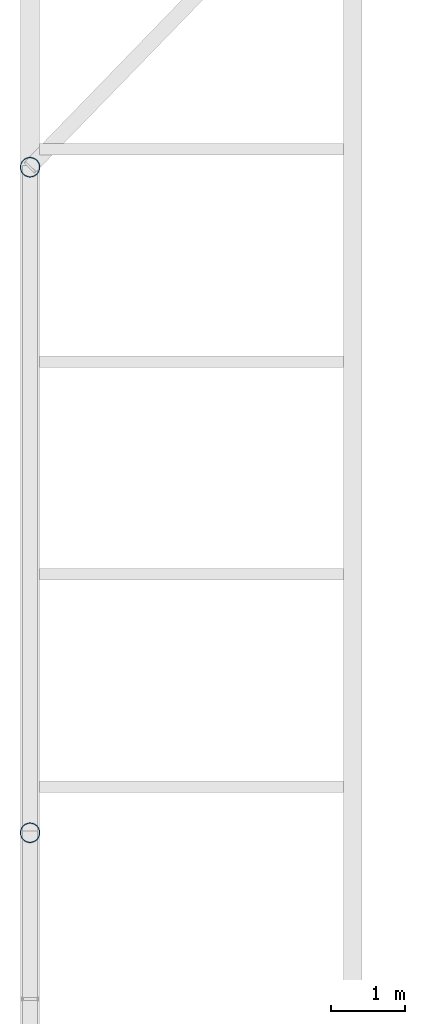
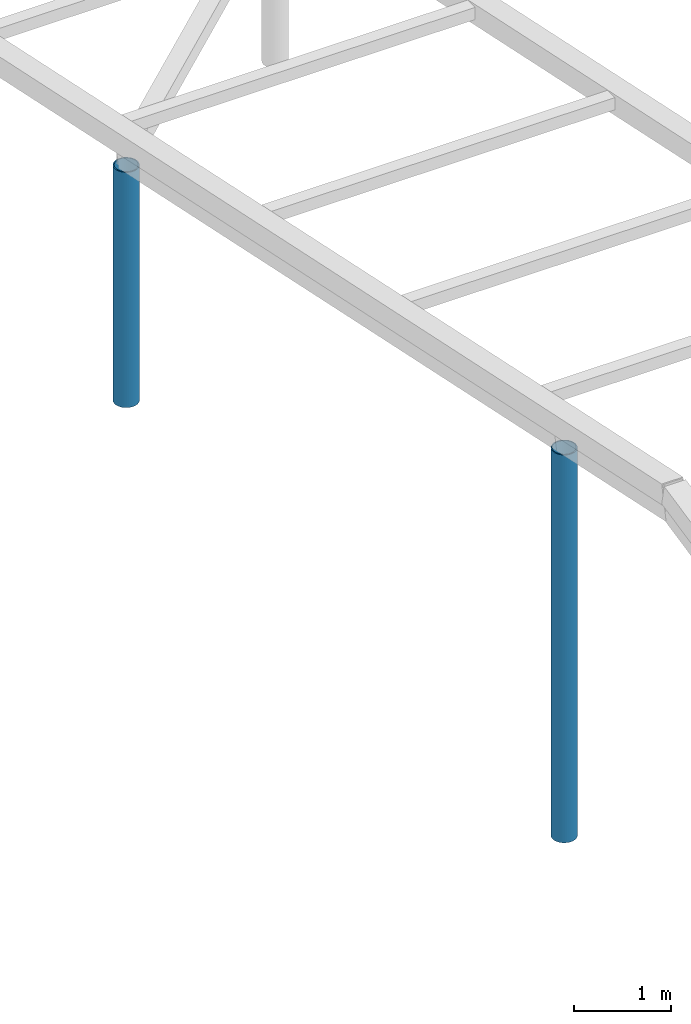
# One storey, part 2 of 7: 2 columns.
"""IFC4 building model written with IfcOpenShell, lengths in metres."""

from ifc_helpers import new_model, si_unit, direction, frame, origin, origin_2d, place, context, subcontext, project, spatial, hollow_circle, extrude, material, material_profile, profile_set, type_object, element, save


model = new_model("IFC4")

# Units and contexts
model_context = context("Model", 3, precision=1e-05, world=origin(), true_north=direction((0.0, 1.0)))
body_context = subcontext(model_context, "Body", "Model", "MODEL_VIEW")
ifc_project = project(units=[si_unit("LENGTHUNIT", "METRE"), si_unit("AREAUNIT", "SQUARE_METRE"), si_unit("VOLUMEUNIT", "CUBIC_METRE"), si_unit("PLANEANGLEUNIT", "RADIAN"), si_unit("MASSUNIT", "GRAM", prefix="KILO")], contexts=[model_context])

# Site, building, storey
site_placement = place(None, origin())
site = spatial("IfcSite", under=ifc_project, at=site_placement, CompositionType="ELEMENT")
building_placement = place(site_placement, origin())
building = spatial("IfcBuilding", under=site, at=building_placement, Name="Orbiselva Terraces", CompositionType="ELEMENT")
storey_placement = place(building_placement, frame((0.0, 0.0, 306.6)))
storey = spatial("IfcBuildingStorey", under=building, at=storey_placement, Name="ROOF STAIR AND LIFT HEAD HOUSES", CompositionType="ELEMENT", Elevation=306.6)

# Columns
ifc_material = material(Name="Steel ASTM A500 Grade C", Category="steel")
ifc_material_profile = material_profile(ifc_material, hollow_circle(Radius=0.13655, WallThickness=0.0127, at=origin_2d()), Name="HSS273.1X12.7")
ifc_profile_set = profile_set([ifc_material_profile], Name="Steel ASTM A500 Grade C")
column_type = type_object("IfcColumnType", Name="CANOPY COLUMN HSS273.1X12.7", PredefinedType="COLUMN", material=ifc_profile_set)
column_1_placement = place(storey_placement, frame((-22.36345, 13.5, 0.0), z_axis=(0.0, 0.0, 1.0), x_axis=(1.0, 0.0, 0.0)))
element("IfcColumn", 1, at=column_1_placement, inside=storey, type_object=column_type, Name="Canopy column L75-06 above +306.600", PredefinedType="COLUMN", context=body_context, shape_type="SweptSolid", body=[
    extrude(hollow_circle(Radius=0.13655, WallThickness=0.0127, at=origin_2d()), origin(), (0.0, 0.0, 1.0), 2.951539),
])
column_2_placement = place(storey_placement, frame((-22.36345, 4.5, 0.0), z_axis=(0.0, 0.0, 1.0), x_axis=(1.0, 0.0, 0.0)))
element("IfcColumn", 2, at=column_2_placement, inside=storey, type_object=column_type, Name="Canopy column L75-08 above +306.600", PredefinedType="COLUMN", context=body_context, shape_type="SweptSolid", body=[
    extrude(hollow_circle(Radius=0.13655, WallThickness=0.0127, at=origin_2d()), origin(), (0.0, 0.0, 1.0), 4.864548),
])

save(model, "model.ifc")
